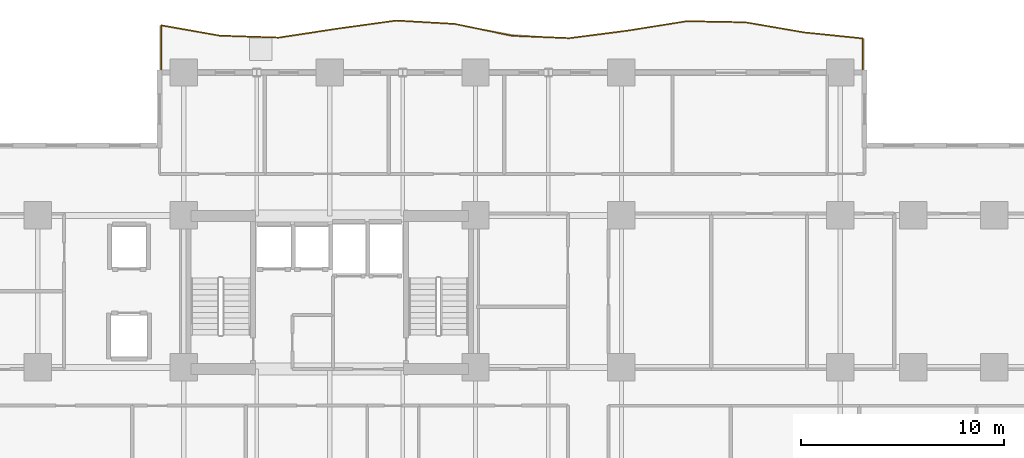
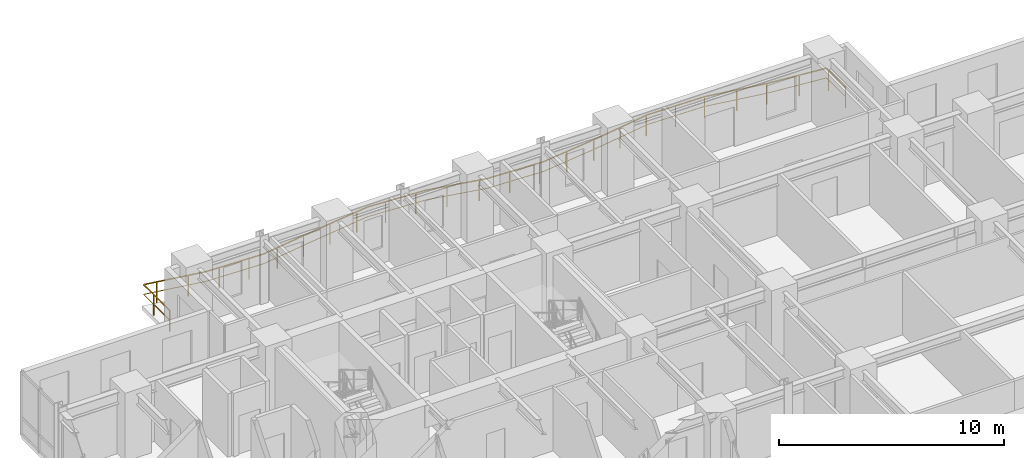
# One storey, part 17 of 17: 1 railing.
"""IFC4 building model written with IfcOpenShell, lengths in metres."""

from ifc_helpers import new_model, si_unit, direction, frame, origin, origin_2d, place, context, subcontext, project, spatial, rectangle, extrude, material, type_object, element, save


model = new_model("IFC4")

# Units and contexts
model_context = context("Model", 3, precision=1e-05, world=origin(), true_north=direction((0.0, 1.0)))
body_context = subcontext(model_context, "Body", "Model", "MODEL_VIEW")
ifc_project = project(units=[si_unit("LENGTHUNIT", "METRE"), si_unit("AREAUNIT", "SQUARE_METRE"), si_unit("VOLUMEUNIT", "CUBIC_METRE"), si_unit("PLANEANGLEUNIT", "RADIAN"), si_unit("MASSUNIT", "GRAM", prefix="KILO")], contexts=[model_context])

# Site, building, storey
site_placement = place(None, origin())
site = spatial("IfcSite", under=ifc_project, at=site_placement, CompositionType="ELEMENT")
building_placement = place(site_placement, origin())
building = spatial("IfcBuilding", under=site, at=building_placement, Name="Kaliganga Portal Commons", CompositionType="ELEMENT")
storey_placement = place(building_placement, frame((0.0, 0.0, 62.300048828125)))
storey = spatial("IfcBuildingStorey", under=building, at=storey_placement, Name="L15", CompositionType="ELEMENT", Elevation=62.300048828125)

# Railing
ifc_material = material(Name="Laminated Safety Glass and Stainless Steel 316", Category="steel")
railing_type = type_object("IfcRailingType", Name="RLG-BAL-1150", PredefinedType="BALUSTRADE", material=ifc_material)
railing_placement = place(storey_placement, frame((47.92041015625, 43.20849609375, 0.0)))
element("IfcRailing", 1, at=railing_placement, inside=storey, type_object=railing_type, Name="Balcony Guardrail L15 balc_north", PredefinedType="BALUSTRADE", context=body_context, shape_type="SweptSolid", body=[
    extrude(rectangle(XDim=0.048095703125, YDim=0.048095703125, at=origin_2d()), frame((0.0, 0.0, 1.1259765625), z_axis=(-0.000290866771, 0.999999957698, 0.0), x_axis=(-0.999999957698, -0.000290866771, 0.0)), (0.0, 0.0, 1.0), 1.6787109375),
    extrude(rectangle(XDim=0.028076171875, YDim=0.028076171875, at=origin_2d()), frame((0.0, 0.0, 0.597900390625), z_axis=(-0.000290866771, 0.999999957698, 0.0), x_axis=(-0.999999957698, -0.000290866771, 0.0)), (0.0, 0.0, 1.0), 1.6787109375),
    extrude(rectangle(XDim=0.048095703125, YDim=0.048095703125, at=origin_2d()), frame((-0.00048828125, 1.6787109375, 1.1259765625), z_axis=(-0.994834487762, 0.101510304695, 0.0), x_axis=(-0.101510304695, -0.994834487762, 0.0)), (0.0, 0.0, 1.0), 2.9150390625),
    extrude(rectangle(XDim=0.028076171875, YDim=0.028076171875, at=origin_2d()), frame((-0.00048828125, 1.6787109375, 0.597900390625), z_axis=(-0.994834487762, 0.101510304695, 0.0), x_axis=(-0.101510304695, -0.994834487762, 0.0)), (0.0, 0.0, 1.0), 2.9150390625),
    extrude(rectangle(XDim=0.048095703125, YDim=0.048095703125, at=origin_2d()), frame((-2.900390625, 1.974609375, 1.1259765625), z_axis=(-0.985375695281, 0.170395830789, 0.0), x_axis=(-0.170395830789, -0.985375695281, 0.0)), (0.0, 0.0, 1.0), 2.94287109375),
    extrude(rectangle(XDim=0.028076171875, YDim=0.028076171875, at=origin_2d()), frame((-2.900390625, 1.974609375, 0.597900390625), z_axis=(-0.985375695281, 0.170395830789, 0.0), x_axis=(-0.170395830789, -0.985375695281, 0.0)), (0.0, 0.0, 1.0), 2.94287109375),
    extrude(rectangle(XDim=0.048095703125, YDim=0.048095703125, at=origin_2d()), frame((-5.80029296875, 2.47607421875, 1.1259765625), z_axis=(-0.999836222748, 0.018097725871, 0.0), x_axis=(-0.018097725871, -0.999836222748, 0.0)), (0.0, 0.0, 1.0), 2.900390625),
    extrude(rectangle(XDim=0.028076171875, YDim=0.028076171875, at=origin_2d()), frame((-5.80029296875, 2.47607421875, 0.597900390625), z_axis=(-0.999836222748, 0.018097725871, 0.0), x_axis=(-0.018097725871, -0.999836222748, 0.0)), (0.0, 0.0, 1.0), 2.900390625),
    extrude(rectangle(XDim=0.048095703125, YDim=0.048095703125, at=origin_2d()), frame((-8.7001953125, 2.528564453125, 1.1259765625), z_axis=(-0.987448930145, -0.157938628443, 0.0), x_axis=(0.157938628443, -0.987448930145, 0.0)), (0.0, 0.0, 1.0), 2.93701171875),
    extrude(rectangle(XDim=0.028076171875, YDim=0.028076171875, at=origin_2d()), frame((-8.7001953125, 2.528564453125, 0.597900390625), z_axis=(-0.987448930145, -0.157938628443, 0.0), x_axis=(0.157938628443, -0.987448930145, 0.0)), (0.0, 0.0, 1.0), 2.93701171875),
    extrude(rectangle(XDim=0.048095703125, YDim=0.048095703125, at=origin_2d()), frame((-11.600341796875, 2.064697265625, 1.1259765625), z_axis=(-0.991827022196, -0.127589803832, 0.0), x_axis=(0.127589803832, -0.991827022196, 0.0)), (0.0, 0.0, 1.0), 2.923828125),
    extrude(rectangle(XDim=0.028076171875, YDim=0.028076171875, at=origin_2d()), frame((-11.600341796875, 2.064697265625, 0.597900390625), z_axis=(-0.991827022196, -0.127589803832, 0.0), x_axis=(0.127589803832, -0.991827022196, 0.0)), (0.0, 0.0, 1.0), 2.923828125),
    extrude(rectangle(XDim=0.048095703125, YDim=0.048095703125, at=origin_2d()), frame((-14.500244140625, 1.691650390625, 1.1259765625), z_axis=(-0.999119680054, 0.041950744076, 0.0), x_axis=(-0.041950744076, -0.999119680054, 0.0)), (0.0, 0.0, 1.0), 2.822509765625),
    extrude(rectangle(XDim=0.028076171875, YDim=0.028076171875, at=origin_2d()), frame((-14.500244140625, 1.691650390625, 0.597900390625), z_axis=(-0.999119680054, 0.041950744076, 0.0), x_axis=(-0.041950744076, -0.999119680054, 0.0)), (0.0, 0.0, 1.0), 2.822509765625),
    extrude(rectangle(XDim=0.048095703125, YDim=0.048095703125, at=origin_2d()), frame((-17.3203125, 1.81005859375, 1.1259765625), z_axis=(-0.979181519102, 0.202986582434, 0.0), x_axis=(-0.202986582434, -0.979181519102, 0.0)), (0.0, 0.0, 1.0), 2.8818359375),
    extrude(rectangle(XDim=0.028076171875, YDim=0.028076171875, at=origin_2d()), frame((-17.3203125, 1.81005859375, 0.597900390625), z_axis=(-0.979181519102, 0.202986582434, 0.0), x_axis=(-0.202986582434, -0.979181519102, 0.0)), (0.0, 0.0, 1.0), 2.8818359375),
    extrude(rectangle(XDim=0.048095703125, YDim=0.048095703125, at=origin_2d()), frame((-20.14208984375, 2.39501953125, 1.1259765625), z_axis=(-0.998349782206, 0.057425711744, 0.0), x_axis=(-0.057425711744, -0.998349782206, 0.0)), (0.0, 0.0, 1.0), 2.90380859375),
    extrude(rectangle(XDim=0.028076171875, YDim=0.028076171875, at=origin_2d()), frame((-20.14208984375, 2.39501953125, 0.597900390625), z_axis=(-0.998349782206, 0.057425711744, 0.0), x_axis=(-0.057425711744, -0.998349782206, 0.0)), (0.0, 0.0, 1.0), 2.90380859375),
    extrude(rectangle(XDim=0.048095703125, YDim=0.048095703125, at=origin_2d()), frame((-23.041015625, 2.561767578125, 1.1259765625), z_axis=(-0.990542717902, -0.137204679265, 0.0), x_axis=(0.137204679265, -0.990542717902, 0.0)), (0.0, 0.0, 1.0), 2.927001953125),
    extrude(rectangle(XDim=0.028076171875, YDim=0.028076171875, at=origin_2d()), frame((-23.041015625, 2.561767578125, 0.597900390625), z_axis=(-0.990542717902, -0.137204679265, 0.0), x_axis=(0.137204679265, -0.990542717902, 0.0)), (0.0, 0.0, 1.0), 2.927001953125),
    extrude(rectangle(XDim=0.048095703125, YDim=0.048095703125, at=origin_2d()), frame((-25.9404296875, 2.16015625, 1.1259765625), z_axis=(-0.98858813949, -0.150643587513, 0.0), x_axis=(0.150643587513, -0.98858813949, 0.0)), (0.0, 0.0, 1.0), 2.933349609375),
    extrude(rectangle(XDim=0.028076171875, YDim=0.028076171875, at=origin_2d()), frame((-25.9404296875, 2.16015625, 0.597900390625), z_axis=(-0.98858813949, -0.150643587513, 0.0), x_axis=(0.150643587513, -0.98858813949, 0.0)), (0.0, 0.0, 1.0), 2.933349609375),
    extrude(rectangle(XDim=0.048095703125, YDim=0.048095703125, at=origin_2d()), frame((-28.84033203125, 1.71826171875, 1.1259765625), z_axis=(-0.999442008432, 0.033401673318, 0.0), x_axis=(-0.033401673318, -0.999442008432, 0.0)), (0.0, 0.0, 1.0), 2.90185546875),
    extrude(rectangle(XDim=0.028076171875, YDim=0.028076171875, at=origin_2d()), frame((-28.84033203125, 1.71826171875, 0.597900390625), z_axis=(-0.999442008432, 0.033401673318, 0.0), x_axis=(-0.033401673318, -0.999442008432, 0.0)), (0.0, 0.0, 1.0), 2.90185546875),
    extrude(rectangle(XDim=0.048095703125, YDim=0.048095703125, at=origin_2d()), frame((-31.740478515625, 1.815185546875, 1.1259765625), z_axis=(-0.984785228068, 0.173775874561, 0.0), x_axis=(-0.173775874561, -0.984785228068, 0.0)), (0.0, 0.0, 1.0), 2.94482421875),
    extrude(rectangle(XDim=0.028076171875, YDim=0.028076171875, at=origin_2d()), frame((-31.740478515625, 1.815185546875, 0.597900390625), z_axis=(-0.984785228068, 0.173775874561, 0.0), x_axis=(-0.173775874561, -0.984785228068, 0.0)), (0.0, 0.0, 1.0), 2.94482421875),
    extrude(rectangle(XDim=0.048095703125, YDim=0.048095703125, at=origin_2d()), frame((-34.640380859375, 2.326904296875, 1.1259765625), z_axis=(-0.000209841565, -0.999999977983, 0.0), x_axis=(0.999999977983, -0.000209841565, 0.0)), (0.0, 0.0, 1.0), 2.326904296875),
    extrude(rectangle(XDim=0.028076171875, YDim=0.028076171875, at=origin_2d()), frame((-34.640380859375, 2.326904296875, 0.597900390625), z_axis=(-0.000209841565, -0.999999977983, 0.0), x_axis=(0.999999977983, -0.000209841565, 0.0)), (0.0, 0.0, 1.0), 2.326904296875),
    extrude(rectangle(XDim=0.0419921875, YDim=0.0419921875, at=origin_2d()), origin(), (0.0, 0.0, 1.0), 1.101806640625),
    extrude(rectangle(XDim=0.0419921875, YDim=0.0419921875, at=origin_2d()), frame((-0.00048828125, 1.5, 0.0)), (0.0, 0.0, 1.0), 1.101806640625),
    extrude(rectangle(XDim=0.0419921875, YDim=0.0419921875, at=origin_2d()), frame((-1.31494140625, 1.812744140625, 0.0)), (0.0, 0.0, 1.0), 1.101806640625),
    extrude(rectangle(XDim=0.0419921875, YDim=0.0419921875, at=origin_2d()), frame((-2.900390625, 1.974609375, 0.0)), (0.0, 0.0, 1.0), 1.101806640625),
    extrude(rectangle(XDim=0.0419921875, YDim=0.0419921875, at=origin_2d()), frame((-4.2861328125, 2.21435546875, 0.0)), (0.0, 0.0, 1.0), 1.101806640625),
    extrude(rectangle(XDim=0.0419921875, YDim=0.0419921875, at=origin_2d()), frame((-5.80029296875, 2.47607421875, 0.0)), (0.0, 0.0, 1.0), 1.101806640625),
    extrude(rectangle(XDim=0.0419921875, YDim=0.0419921875, at=origin_2d()), frame((-7.263427734375, 2.50244140625, 0.0)), (0.0, 0.0, 1.0), 1.101806640625),
    extrude(rectangle(XDim=0.0419921875, YDim=0.0419921875, at=origin_2d()), frame((-8.762451171875, 2.5185546875, 0.0)), (0.0, 0.0, 1.0), 1.101806640625),
    extrude(rectangle(XDim=0.0419921875, YDim=0.0419921875, at=origin_2d()), frame((-10.24365234375, 2.28173828125, 0.0)), (0.0, 0.0, 1.0), 1.101806640625),
    extrude(rectangle(XDim=0.0419921875, YDim=0.0419921875, at=origin_2d()), frame((-11.725341796875, 2.048583984375, 0.0)), (0.0, 0.0, 1.0), 1.101806640625),
    extrude(rectangle(XDim=0.0419921875, YDim=0.0419921875, at=origin_2d()), frame((-13.213134765625, 1.857177734375, 0.0)), (0.0, 0.0, 1.0), 1.101806640625),
    extrude(rectangle(XDim=0.0419921875, YDim=0.0419921875, at=origin_2d()), frame((-14.7021484375, 1.7001953125, 0.0)), (0.0, 0.0, 1.0), 1.101806640625),
    extrude(rectangle(XDim=0.0419921875, YDim=0.0419921875, at=origin_2d()), frame((-16.200927734375, 1.762939453125, 0.0)), (0.0, 0.0, 1.0), 1.101806640625),
    extrude(rectangle(XDim=0.0419921875, YDim=0.0419921875, at=origin_2d()), frame((-17.692138671875, 1.88720703125, 0.0)), (0.0, 0.0, 1.0), 1.101806640625),
    extrude(rectangle(XDim=0.0419921875, YDim=0.0419921875, at=origin_2d()), frame((-19.160888671875, 2.191650390625, 0.0)), (0.0, 0.0, 1.0), 1.101806640625),
    extrude(rectangle(XDim=0.0419921875, YDim=0.0419921875, at=origin_2d()), frame((-20.63916015625, 2.423583984375, 0.0)), (0.0, 0.0, 1.0), 1.101806640625),
    extrude(rectangle(XDim=0.0419921875, YDim=0.0419921875, at=origin_2d()), frame((-22.13671875, 2.509765625, 0.0)), (0.0, 0.0, 1.0), 1.101806640625),
    extrude(rectangle(XDim=0.0419921875, YDim=0.0419921875, at=origin_2d()), frame((-23.629638671875, 2.480224609375, 0.0)), (0.0, 0.0, 1.0), 1.101806640625),
    extrude(rectangle(XDim=0.0419921875, YDim=0.0419921875, at=origin_2d()), frame((-25.115478515625, 2.2744140625, 0.0)), (0.0, 0.0, 1.0), 1.101806640625),
    extrude(rectangle(XDim=0.0419921875, YDim=0.0419921875, at=origin_2d()), frame((-26.599853515625, 2.0595703125, 0.0)), (0.0, 0.0, 1.0), 1.101806640625),
    extrude(rectangle(XDim=0.0419921875, YDim=0.0419921875, at=origin_2d()), frame((-28.082763671875, 1.833740234375, 0.0)), (0.0, 0.0, 1.0), 1.101806640625),
    extrude(rectangle(XDim=0.0419921875, YDim=0.0419921875, at=origin_2d()), frame((-29.57373046875, 1.74267578125, 0.0)), (0.0, 0.0, 1.0), 1.101806640625),
    extrude(rectangle(XDim=0.0419921875, YDim=0.0419921875, at=origin_2d()), frame((-31.07275390625, 1.79296875, 0.0)), (0.0, 0.0, 1.0), 1.101806640625),
    extrude(rectangle(XDim=0.0419921875, YDim=0.0419921875, at=origin_2d()), frame((-32.559814453125, 1.959716796875, 0.0)), (0.0, 0.0, 1.0), 1.101806640625),
    extrude(rectangle(XDim=0.0419921875, YDim=0.0419921875, at=origin_2d()), frame((-34.036865234375, 2.220458984375, 0.0)), (0.0, 0.0, 1.0), 1.101806640625),
    extrude(rectangle(XDim=0.0419921875, YDim=0.0419921875, at=origin_2d()), frame((-34.640625, 1.439697265625, 0.0)), (0.0, 0.0, 1.0), 1.101806640625),
    extrude(rectangle(XDim=0.0419921875, YDim=0.0419921875, at=origin_2d()), frame((-34.640869140625, 0.0, 0.0)), (0.0, 0.0, 1.0), 1.101806640625),
])

save(model, "model.ifc")
